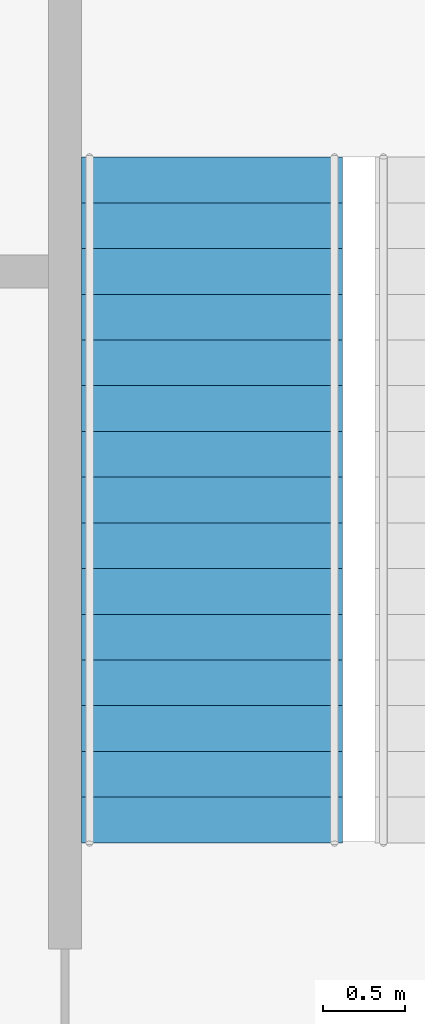
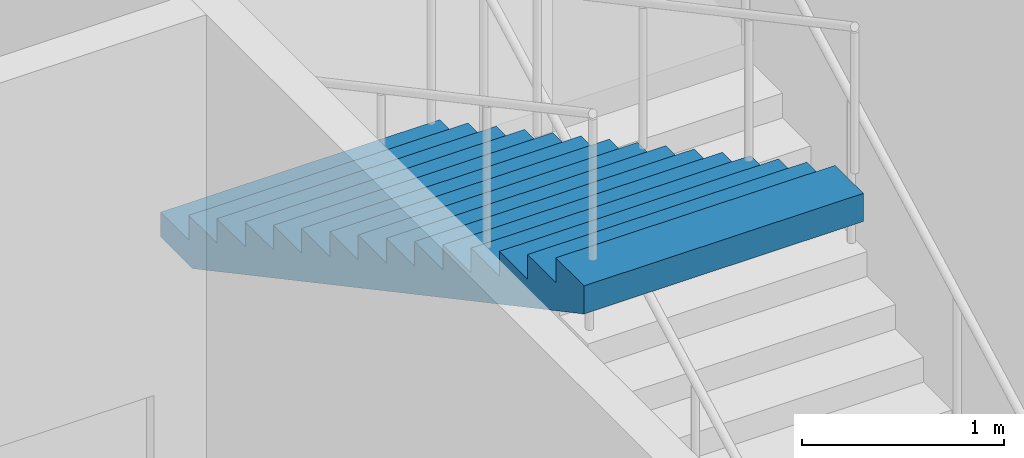
# One storey, part 49 of 53: 1 stair flight, 1 element without a shape of its own.
"""IFC4 building model written with IfcOpenShell, lengths in metres."""

from ifc_helpers import new_model, si_unit, direction, frame, origin, place, context, subcontext, project, spatial, triangles, material, type_object, element, aggregate, save


model = new_model("IFC4")

# Units and contexts
model_context = context("Model", 3, precision=1e-05, world=origin(), true_north=direction((0.0, 1.0)))
body_context = subcontext(model_context, "Body", "Model", "MODEL_VIEW")
ifc_project = project(units=[si_unit("LENGTHUNIT", "METRE"), si_unit("AREAUNIT", "SQUARE_METRE"), si_unit("VOLUMEUNIT", "CUBIC_METRE"), si_unit("PLANEANGLEUNIT", "RADIAN"), si_unit("MASSUNIT", "GRAM", prefix="KILO")], contexts=[model_context])

# Site, building, storey
site_placement = place(None, origin())
site = spatial("IfcSite", under=ifc_project, at=site_placement, CompositionType="ELEMENT")
building_placement = place(site_placement, origin())
building = spatial("IfcBuilding", under=site, at=building_placement, Name="Hakoniwa Tower and Hamabe Station Hall", CompositionType="ELEMENT")
storey_placement = place(building_placement, frame((0.0, 0.0, 15.0)))
storey = spatial("IfcBuildingStorey", under=building, at=storey_placement, Name="L03", CompositionType="ELEMENT", Elevation=15.0)

# Stair, stair flight
ifc_material_1 = material(Name="Concrete C40", Category="concrete")
stair_type = type_object("IfcStairType", Name="STAIR 1600 16X150", PredefinedType="HALF_TURN_STAIR", material=ifc_material_1)
stair_placement = place(storey_placement, origin())
stair = element("IfcStair", 1, at=stair_placement, inside=storey, type_object=stair_type, Name="Escape stair SS2 L03", PredefinedType="HALF_TURN_STAIR")
ifc_material_2 = material(Name="Concrete C40", Category="concrete")
stair_flight_type = type_object("IfcStairFlightType", Name="STAIR FLIGHT 1600", PredefinedType="STRAIGHT", material=ifc_material_2)
stair_flight_placement = place(storey_placement, frame((165.85009765625, 21.10009765625, 2.39990234375), z_axis=(0.0, 0.0, 1.0), x_axis=(0.0, -1.0, 0.0)))
stair_flight = element("IfcStairFlight", 2, at=stair_flight_placement, type_object=stair_flight_type, Name="SS2 flight 2", NumberOfRisers=16, NumberOfTreads=15, PredefinedType="STRAIGHT", RiserHeight=0.15, TreadLength=0.28, context=body_context, shape_type="Tessellation", body=[
    triangles([(0.0, 0.800048828125, 0.0), (0.280029296875, 0.800048828125, 0.0), (0.3173828125, 0.800048828125, 0.0), (0.56005859375, 0.800048828125, 0.1298828125), (0.840087890625, 0.800048828125, 0.280029296875), (1.1201171875, 0.800048828125, 0.429931640625), (1.39990234375, 0.800048828125, 0.579833984375), (1.679931640625, 0.800048828125, 0.72998046875), (1.9599609375, 0.800048828125, 0.8798828125), (2.239990234375, 0.800048828125, 1.030029296875), (2.52001953125, 0.800048828125, 1.179931640625), (2.800048828125, 0.800048828125, 1.329833984375), (3.080078125, 0.800048828125, 1.47998046875), (3.360107421875, 0.800048828125, 1.6298828125), (3.639892578125, 0.800048828125, 1.780029296875), (3.919921875, 0.800048828125, 1.929931640625), (4.199951171875, 0.800048828125, 2.079833984375), (4.199951171875, 0.800048828125, 2.25), (3.919921875, 0.800048828125, 2.25), (3.919921875, 0.800048828125, 2.10009765625), (3.639892578125, 0.800048828125, 2.10009765625), (3.639892578125, 0.800048828125, 1.949951171875), (3.360107421875, 0.800048828125, 1.949951171875), (3.360107421875, 0.800048828125, 1.800048828125), (3.080078125, 0.800048828125, 1.800048828125), (3.080078125, 0.800048828125, 1.64990234375), (2.800048828125, 0.800048828125, 1.64990234375), (2.800048828125, 0.800048828125, 1.5), (2.52001953125, 0.800048828125, 1.5), (2.52001953125, 0.800048828125, 1.35009765625), (2.239990234375, 0.800048828125, 1.35009765625), (2.239990234375, 0.800048828125, 1.199951171875), (1.9599609375, 0.800048828125, 1.199951171875), (1.9599609375, 0.800048828125, 1.050048828125), (1.679931640625, 0.800048828125, 1.050048828125), (1.679931640625, 0.800048828125, 0.89990234375), (1.39990234375, 0.800048828125, 0.89990234375), (1.39990234375, 0.800048828125, 0.75), (1.1201171875, 0.800048828125, 0.75), (1.1201171875, 0.800048828125, 0.60009765625), (0.840087890625, 0.800048828125, 0.60009765625), (0.840087890625, 0.800048828125, 0.449951171875), (0.56005859375, 0.800048828125, 0.449951171875), (0.56005859375, 0.800048828125, 0.300048828125), (0.3173828125, 0.800048828125, 0.300048828125), (0.280029296875, 0.800048828125, 0.300048828125), (0.280029296875, 0.800048828125, 0.14990234375), (0.0, 0.800048828125, 0.14990234375), (0.0, 0.06005859375, 0.0), (0.280029296875, 0.06005859375, 0.0), (0.3173828125, 0.06005859375, 0.0), (0.56005859375, 0.06005859375, 0.1298828125), (0.840087890625, 0.06005859375, 0.280029296875), (1.1201171875, 0.06005859375, 0.429931640625), (1.39990234375, 0.06005859375, 0.579833984375), (1.679931640625, 0.06005859375, 0.72998046875), (1.9599609375, 0.06005859375, 0.8798828125), (2.239990234375, 0.06005859375, 1.030029296875), (2.52001953125, 0.06005859375, 1.179931640625), (2.800048828125, 0.06005859375, 1.329833984375), (3.080078125, 0.06005859375, 1.47998046875), (3.360107421875, 0.06005859375, 1.6298828125), (3.639892578125, 0.06005859375, 1.780029296875), (3.919921875, 0.06005859375, 1.929931640625), (4.199951171875, 0.06005859375, 2.079833984375), (4.199951171875, 0.06005859375, 2.25), (3.919921875, 0.06005859375, 2.25), (3.919921875, 0.06005859375, 2.10009765625), (3.639892578125, 0.06005859375, 2.10009765625), (3.639892578125, 0.06005859375, 1.949951171875), (3.360107421875, 0.06005859375, 1.949951171875), (3.360107421875, 0.06005859375, 1.800048828125), (3.080078125, 0.06005859375, 1.800048828125), (3.080078125, 0.06005859375, 1.64990234375), (2.800048828125, 0.06005859375, 1.64990234375), (2.800048828125, 0.06005859375, 1.5), (2.52001953125, 0.06005859375, 1.5), (2.52001953125, 0.06005859375, 1.35009765625), (2.239990234375, 0.06005859375, 1.35009765625), (2.239990234375, 0.06005859375, 1.199951171875), (1.9599609375, 0.06005859375, 1.199951171875), (1.9599609375, 0.06005859375, 1.050048828125), (1.679931640625, 0.06005859375, 1.050048828125), (1.679931640625, 0.06005859375, 0.89990234375), (1.39990234375, 0.06005859375, 0.89990234375), (1.39990234375, 0.06005859375, 0.75), (1.1201171875, 0.06005859375, 0.75), (1.1201171875, 0.06005859375, 0.60009765625), (0.840087890625, 0.06005859375, 0.60009765625), (0.840087890625, 0.06005859375, 0.449951171875), (0.56005859375, 0.06005859375, 0.449951171875), (0.56005859375, 0.06005859375, 0.300048828125), (0.3173828125, 0.06005859375, 0.300048828125), (0.280029296875, 0.06005859375, 0.300048828125), (0.280029296875, 0.06005859375, 0.14990234375), (0.0, 0.06005859375, 0.14990234375), (0.0, 0.02001953125, 0.0), (0.280029296875, 0.02001953125, 0.0), (0.3173828125, 0.02001953125, 0.0), (0.56005859375, 0.02001953125, 0.1298828125), (0.840087890625, 0.02001953125, 0.280029296875), (1.1201171875, 0.02001953125, 0.429931640625), (1.39990234375, 0.02001953125, 0.579833984375), (1.679931640625, 0.02001953125, 0.72998046875), (1.9599609375, 0.02001953125, 0.8798828125), (2.239990234375, 0.02001953125, 1.030029296875), (2.52001953125, 0.02001953125, 1.179931640625), (2.800048828125, 0.02001953125, 1.329833984375), (3.080078125, 0.02001953125, 1.47998046875), (3.360107421875, 0.02001953125, 1.6298828125), (3.639892578125, 0.02001953125, 1.780029296875), (3.919921875, 0.02001953125, 1.929931640625), (4.199951171875, 0.02001953125, 2.079833984375), (4.199951171875, 0.02001953125, 2.25), (3.919921875, 0.02001953125, 2.25), (3.919921875, 0.02001953125, 2.10009765625), (3.639892578125, 0.02001953125, 2.10009765625), (3.639892578125, 0.02001953125, 1.949951171875), (3.360107421875, 0.02001953125, 1.949951171875), (3.360107421875, 0.02001953125, 1.800048828125), (3.080078125, 0.02001953125, 1.800048828125), (3.080078125, 0.02001953125, 1.64990234375), (2.800048828125, 0.02001953125, 1.64990234375), (2.800048828125, 0.02001953125, 1.5), (2.52001953125, 0.02001953125, 1.5), (2.52001953125, 0.02001953125, 1.35009765625), (2.239990234375, 0.02001953125, 1.35009765625), (2.239990234375, 0.02001953125, 1.199951171875), (1.9599609375, 0.02001953125, 1.199951171875), (1.9599609375, 0.02001953125, 1.050048828125), (1.679931640625, 0.02001953125, 1.050048828125), (1.679931640625, 0.02001953125, 0.89990234375), (1.39990234375, 0.02001953125, 0.89990234375), (1.39990234375, 0.02001953125, 0.75), (1.1201171875, 0.02001953125, 0.75), (1.1201171875, 0.02001953125, 0.60009765625), (0.840087890625, 0.02001953125, 0.60009765625), (0.840087890625, 0.02001953125, 0.449951171875), (0.56005859375, 0.02001953125, 0.449951171875), (0.56005859375, 0.02001953125, 0.300048828125), (0.3173828125, 0.02001953125, 0.300048828125), (0.280029296875, 0.02001953125, 0.300048828125), (0.280029296875, 0.02001953125, 0.14990234375), (0.0, 0.02001953125, 0.14990234375), (0.0, -0.02001953125, 0.0), (0.280029296875, -0.02001953125, 0.0), (0.3173828125, -0.02001953125, 0.0), (0.56005859375, -0.02001953125, 0.1298828125), (0.840087890625, -0.02001953125, 0.280029296875), (1.1201171875, -0.02001953125, 0.429931640625), (1.39990234375, -0.02001953125, 0.579833984375), (1.679931640625, -0.02001953125, 0.72998046875), (1.9599609375, -0.02001953125, 0.8798828125), (2.239990234375, -0.02001953125, 1.030029296875), (2.52001953125, -0.02001953125, 1.179931640625), (2.800048828125, -0.02001953125, 1.329833984375), (3.080078125, -0.02001953125, 1.47998046875), (3.360107421875, -0.02001953125, 1.6298828125), (3.639892578125, -0.02001953125, 1.780029296875), (3.919921875, -0.02001953125, 1.929931640625), (4.199951171875, -0.02001953125, 2.079833984375), (4.199951171875, -0.02001953125, 2.25), (3.919921875, -0.02001953125, 2.25), (3.919921875, -0.02001953125, 2.10009765625), (3.639892578125, -0.02001953125, 2.10009765625), (3.639892578125, -0.02001953125, 1.949951171875), (3.360107421875, -0.02001953125, 1.949951171875), (3.360107421875, -0.02001953125, 1.800048828125), (3.080078125, -0.02001953125, 1.800048828125), (3.080078125, -0.02001953125, 1.64990234375), (2.800048828125, -0.02001953125, 1.64990234375), (2.800048828125, -0.02001953125, 1.5), (2.52001953125, -0.02001953125, 1.5), (2.52001953125, -0.02001953125, 1.35009765625), (2.239990234375, -0.02001953125, 1.35009765625), (2.239990234375, -0.02001953125, 1.199951171875), (1.9599609375, -0.02001953125, 1.199951171875), (1.9599609375, -0.02001953125, 1.050048828125), (1.679931640625, -0.02001953125, 1.050048828125), (1.679931640625, -0.02001953125, 0.89990234375), (1.39990234375, -0.02001953125, 0.89990234375), (1.39990234375, -0.02001953125, 0.75), (1.1201171875, -0.02001953125, 0.75), (1.1201171875, -0.02001953125, 0.60009765625), (0.840087890625, -0.02001953125, 0.60009765625), (0.840087890625, -0.02001953125, 0.449951171875), (0.56005859375, -0.02001953125, 0.449951171875), (0.56005859375, -0.02001953125, 0.300048828125), (0.3173828125, -0.02001953125, 0.300048828125), (0.280029296875, -0.02001953125, 0.300048828125), (0.280029296875, -0.02001953125, 0.14990234375), (0.0, -0.02001953125, 0.14990234375), (0.0, -0.06005859375, 0.0), (0.280029296875, -0.06005859375, 0.0), (0.3173828125, -0.06005859375, 0.0), (0.56005859375, -0.06005859375, 0.1298828125), (0.840087890625, -0.06005859375, 0.280029296875), (1.1201171875, -0.06005859375, 0.429931640625), (1.39990234375, -0.06005859375, 0.579833984375), (1.679931640625, -0.06005859375, 0.72998046875), (1.9599609375, -0.06005859375, 0.8798828125), (2.239990234375, -0.06005859375, 1.030029296875), (2.52001953125, -0.06005859375, 1.179931640625), (2.800048828125, -0.06005859375, 1.329833984375), (3.080078125, -0.06005859375, 1.47998046875), (3.360107421875, -0.06005859375, 1.6298828125), (3.639892578125, -0.06005859375, 1.780029296875), (3.919921875, -0.06005859375, 1.929931640625), (4.199951171875, -0.06005859375, 2.079833984375), (4.199951171875, -0.06005859375, 2.25), (3.919921875, -0.06005859375, 2.25), (3.919921875, -0.06005859375, 2.10009765625), (3.639892578125, -0.06005859375, 2.10009765625), (3.639892578125, -0.06005859375, 1.949951171875), (3.360107421875, -0.06005859375, 1.949951171875), (3.360107421875, -0.06005859375, 1.800048828125), (3.080078125, -0.06005859375, 1.800048828125), (3.080078125, -0.06005859375, 1.64990234375), (2.800048828125, -0.06005859375, 1.64990234375), (2.800048828125, -0.06005859375, 1.5), (2.52001953125, -0.06005859375, 1.5), (2.52001953125, -0.06005859375, 1.35009765625), (2.239990234375, -0.06005859375, 1.35009765625), (2.239990234375, -0.06005859375, 1.199951171875), (1.9599609375, -0.06005859375, 1.199951171875), (1.9599609375, -0.06005859375, 1.050048828125), (1.679931640625, -0.06005859375, 1.050048828125), (1.679931640625, -0.06005859375, 0.89990234375), (1.39990234375, -0.06005859375, 0.89990234375), (1.39990234375, -0.06005859375, 0.75), (1.1201171875, -0.06005859375, 0.75), (1.1201171875, -0.06005859375, 0.60009765625), (0.840087890625, -0.06005859375, 0.60009765625), (0.840087890625, -0.06005859375, 0.449951171875), (0.56005859375, -0.06005859375, 0.449951171875), (0.56005859375, -0.06005859375, 0.300048828125), (0.3173828125, -0.06005859375, 0.300048828125), (0.280029296875, -0.06005859375, 0.300048828125), (0.280029296875, -0.06005859375, 0.14990234375), (0.0, -0.06005859375, 0.14990234375), (0.0, -0.800048828125, 0.0), (0.280029296875, -0.800048828125, 0.0), (0.3173828125, -0.800048828125, 0.0), (0.56005859375, -0.800048828125, 0.1298828125), (0.840087890625, -0.800048828125, 0.280029296875), (1.1201171875, -0.800048828125, 0.429931640625), (1.39990234375, -0.800048828125, 0.579833984375), (1.679931640625, -0.800048828125, 0.72998046875), (1.9599609375, -0.800048828125, 0.8798828125), (2.239990234375, -0.800048828125, 1.030029296875), (2.52001953125, -0.800048828125, 1.179931640625), (2.800048828125, -0.800048828125, 1.329833984375), (3.080078125, -0.800048828125, 1.47998046875), (3.360107421875, -0.800048828125, 1.6298828125), (3.639892578125, -0.800048828125, 1.780029296875), (3.919921875, -0.800048828125, 1.929931640625), (4.199951171875, -0.800048828125, 2.079833984375), (4.199951171875, -0.800048828125, 2.25), (3.919921875, -0.800048828125, 2.25), (3.919921875, -0.800048828125, 2.10009765625), (3.639892578125, -0.800048828125, 2.10009765625), (3.639892578125, -0.800048828125, 1.949951171875), (3.360107421875, -0.800048828125, 1.949951171875), (3.360107421875, -0.800048828125, 1.800048828125), (3.080078125, -0.800048828125, 1.800048828125), (3.080078125, -0.800048828125, 1.64990234375), (2.800048828125, -0.800048828125, 1.64990234375), (2.800048828125, -0.800048828125, 1.5), (2.52001953125, -0.800048828125, 1.5), (2.52001953125, -0.800048828125, 1.35009765625), (2.239990234375, -0.800048828125, 1.35009765625), (2.239990234375, -0.800048828125, 1.199951171875), (1.9599609375, -0.800048828125, 1.199951171875), (1.9599609375, -0.800048828125, 1.050048828125), (1.679931640625, -0.800048828125, 1.050048828125), (1.679931640625, -0.800048828125, 0.89990234375), (1.39990234375, -0.800048828125, 0.89990234375), (1.39990234375, -0.800048828125, 0.75), (1.1201171875, -0.800048828125, 0.75), (1.1201171875, -0.800048828125, 0.60009765625), (0.840087890625, -0.800048828125, 0.60009765625), (0.840087890625, -0.800048828125, 0.449951171875), (0.56005859375, -0.800048828125, 0.449951171875), (0.56005859375, -0.800048828125, 0.300048828125), (0.3173828125, -0.800048828125, 0.300048828125), (0.280029296875, -0.800048828125, 0.300048828125), (0.280029296875, -0.800048828125, 0.14990234375), (0.0, -0.800048828125, 0.14990234375)], [[2, 48, 47], [242, 287, 288], [2, 1, 48], [242, 288, 241], [3, 46, 45], [243, 285, 286], [3, 47, 46], [243, 286, 287], [3, 2, 47], [243, 287, 242], [4, 45, 44], [244, 284, 285], [4, 3, 45], [244, 285, 243], [5, 43, 42], [245, 282, 283], [5, 44, 43], [245, 283, 284], [5, 4, 44], [245, 284, 244], [6, 41, 40], [246, 280, 281], [6, 42, 41], [246, 281, 282], [6, 5, 42], [246, 282, 245], [7, 39, 38], [247, 278, 279], [7, 40, 39], [247, 279, 280], [7, 6, 40], [247, 280, 246], [8, 37, 36], [248, 276, 277], [8, 38, 37], [248, 277, 278], [8, 7, 38], [248, 278, 247], [9, 35, 34], [249, 274, 275], [9, 36, 35], [249, 275, 276], [9, 8, 36], [249, 276, 248], [10, 33, 32], [250, 272, 273], [10, 34, 33], [250, 273, 274], [10, 9, 34], [250, 274, 249], [11, 31, 30], [251, 270, 271], [11, 32, 31], [251, 271, 272], [11, 10, 32], [251, 272, 250], [12, 29, 28], [252, 268, 269], [12, 30, 29], [252, 269, 270], [12, 11, 30], [252, 270, 251], [13, 27, 26], [253, 266, 267], [13, 28, 27], [253, 267, 268], [13, 12, 28], [253, 268, 252], [14, 25, 24], [254, 264, 265], [14, 26, 25], [254, 265, 266], [14, 13, 26], [254, 266, 253], [15, 23, 22], [255, 262, 263], [15, 24, 23], [255, 263, 264], [15, 14, 24], [255, 264, 254], [16, 21, 20], [256, 260, 261], [16, 22, 21], [256, 261, 262], [16, 15, 22], [256, 262, 255], [17, 19, 18], [257, 258, 259], [17, 20, 19], [257, 259, 260], [17, 16, 20], [257, 260, 256], [1, 2, 50], [1, 50, 49], [49, 50, 98], [49, 98, 97], [97, 98, 146], [97, 146, 145], [145, 146, 194], [145, 194, 193], [193, 194, 242], [193, 242, 241], [2, 3, 51], [2, 51, 50], [50, 51, 99], [50, 99, 98], [98, 99, 147], [98, 147, 146], [146, 147, 195], [146, 195, 194], [194, 195, 243], [194, 243, 242], [3, 4, 52], [3, 52, 51], [51, 52, 100], [51, 100, 99], [99, 100, 148], [99, 148, 147], [147, 148, 196], [147, 196, 195], [195, 196, 244], [195, 244, 243], [4, 5, 53], [4, 53, 52], [52, 53, 101], [52, 101, 100], [100, 101, 149], [100, 149, 148], [148, 149, 197], [148, 197, 196], [196, 197, 245], [196, 245, 244], [5, 6, 54], [5, 54, 53], [53, 54, 102], [53, 102, 101], [101, 102, 150], [101, 150, 149], [149, 150, 198], [149, 198, 197], [197, 198, 246], [197, 246, 245], [6, 7, 55], [6, 55, 54], [54, 55, 103], [54, 103, 102], [102, 103, 151], [102, 151, 150], [150, 151, 199], [150, 199, 198], [198, 199, 247], [198, 247, 246], [7, 8, 56], [7, 56, 55], [55, 56, 104], [55, 104, 103], [103, 104, 152], [103, 152, 151], [151, 152, 200], [151, 200, 199], [199, 200, 248], [199, 248, 247], [8, 9, 57], [8, 57, 56], [56, 57, 105], [56, 105, 104], [104, 105, 153], [104, 153, 152], [152, 153, 201], [152, 201, 200], [200, 201, 249], [200, 249, 248], [9, 10, 58], [9, 58, 57], [57, 58, 106], [57, 106, 105], [105, 106, 154], [105, 154, 153], [153, 154, 202], [153, 202, 201], [201, 202, 250], [201, 250, 249], [10, 11, 59], [10, 59, 58], [58, 59, 107], [58, 107, 106], [106, 107, 155], [106, 155, 154], [154, 155, 203], [154, 203, 202], [202, 203, 251], [202, 251, 250], [11, 12, 60], [11, 60, 59], [59, 60, 108], [59, 108, 107], [107, 108, 156], [107, 156, 155], [155, 156, 204], [155, 204, 203], [203, 204, 252], [203, 252, 251], [12, 13, 61], [12, 61, 60], [60, 61, 109], [60, 109, 108], [108, 109, 157], [108, 157, 156], [156, 157, 205], [156, 205, 204], [204, 205, 253], [204, 253, 252], [13, 14, 62], [13, 62, 61], [61, 62, 110], [61, 110, 109], [109, 110, 158], [109, 158, 157], [157, 158, 206], [157, 206, 205], [205, 206, 254], [205, 254, 253], [14, 15, 63], [14, 63, 62], [62, 63, 111], [62, 111, 110], [110, 111, 159], [110, 159, 158], [158, 159, 207], [158, 207, 206], [206, 207, 255], [206, 255, 254], [15, 16, 64], [15, 64, 63], [63, 64, 112], [63, 112, 111], [111, 112, 160], [111, 160, 159], [159, 160, 208], [159, 208, 207], [207, 208, 256], [207, 256, 255], [16, 17, 65], [16, 65, 64], [64, 65, 113], [64, 113, 112], [112, 113, 161], [112, 161, 160], [160, 161, 209], [160, 209, 208], [208, 209, 257], [208, 257, 256], [17, 18, 66], [17, 66, 65], [65, 66, 114], [65, 114, 113], [113, 114, 162], [113, 162, 161], [161, 162, 210], [161, 210, 209], [209, 210, 258], [209, 258, 257], [18, 19, 67], [18, 67, 66], [66, 67, 115], [66, 115, 114], [114, 115, 163], [114, 163, 162], [162, 163, 211], [162, 211, 210], [210, 211, 259], [210, 259, 258], [19, 20, 68], [19, 68, 67], [67, 68, 116], [67, 116, 115], [115, 116, 164], [115, 164, 163], [163, 164, 212], [163, 212, 211], [211, 212, 260], [211, 260, 259], [20, 21, 69], [20, 69, 68], [68, 69, 117], [68, 117, 116], [116, 117, 165], [116, 165, 164], [164, 165, 213], [164, 213, 212], [212, 213, 261], [212, 261, 260], [21, 22, 70], [21, 70, 69], [69, 70, 118], [69, 118, 117], [117, 118, 166], [117, 166, 165], [165, 166, 214], [165, 214, 213], [213, 214, 262], [213, 262, 261], [22, 23, 71], [22, 71, 70], [70, 71, 119], [70, 119, 118], [118, 119, 167], [118, 167, 166], [166, 167, 215], [166, 215, 214], [214, 215, 263], [214, 263, 262], [23, 24, 72], [23, 72, 71], [71, 72, 120], [71, 120, 119], [119, 120, 168], [119, 168, 167], [167, 168, 216], [167, 216, 215], [215, 216, 264], [215, 264, 263], [24, 25, 73], [24, 73, 72], [72, 73, 121], [72, 121, 120], [120, 121, 169], [120, 169, 168], [168, 169, 217], [168, 217, 216], [216, 217, 265], [216, 265, 264], [25, 26, 74], [25, 74, 73], [73, 74, 122], [73, 122, 121], [121, 122, 170], [121, 170, 169], [169, 170, 218], [169, 218, 217], [217, 218, 266], [217, 266, 265], [26, 27, 75], [26, 75, 74], [74, 75, 123], [74, 123, 122], [122, 123, 171], [122, 171, 170], [170, 171, 219], [170, 219, 218], [218, 219, 267], [218, 267, 266], [27, 28, 76], [27, 76, 75], [75, 76, 124], [75, 124, 123], [123, 124, 172], [123, 172, 171], [171, 172, 220], [171, 220, 219], [219, 220, 268], [219, 268, 267], [28, 29, 77], [28, 77, 76], [76, 77, 125], [76, 125, 124], [124, 125, 173], [124, 173, 172], [172, 173, 221], [172, 221, 220], [220, 221, 269], [220, 269, 268], [29, 30, 78], [29, 78, 77], [77, 78, 126], [77, 126, 125], [125, 126, 174], [125, 174, 173], [173, 174, 222], [173, 222, 221], [221, 222, 270], [221, 270, 269], [30, 31, 79], [30, 79, 78], [78, 79, 127], [78, 127, 126], [126, 127, 175], [126, 175, 174], [174, 175, 223], [174, 223, 222], [222, 223, 271], [222, 271, 270], [31, 32, 80], [31, 80, 79], [79, 80, 128], [79, 128, 127], [127, 128, 176], [127, 176, 175], [175, 176, 224], [175, 224, 223], [223, 224, 272], [223, 272, 271], [32, 33, 81], [32, 81, 80], [80, 81, 129], [80, 129, 128], [128, 129, 177], [128, 177, 176], [176, 177, 225], [176, 225, 224], [224, 225, 273], [224, 273, 272], [33, 34, 82], [33, 82, 81], [81, 82, 130], [81, 130, 129], [129, 130, 178], [129, 178, 177], [177, 178, 226], [177, 226, 225], [225, 226, 274], [225, 274, 273], [34, 35, 83], [34, 83, 82], [82, 83, 131], [82, 131, 130], [130, 131, 179], [130, 179, 178], [178, 179, 227], [178, 227, 226], [226, 227, 275], [226, 275, 274], [35, 36, 84], [35, 84, 83], [83, 84, 132], [83, 132, 131], [131, 132, 180], [131, 180, 179], [179, 180, 228], [179, 228, 227], [227, 228, 276], [227, 276, 275], [36, 37, 85], [36, 85, 84], [84, 85, 133], [84, 133, 132], [132, 133, 181], [132, 181, 180], [180, 181, 229], [180, 229, 228], [228, 229, 277], [228, 277, 276], [37, 38, 86], [37, 86, 85], [85, 86, 134], [85, 134, 133], [133, 134, 182], [133, 182, 181], [181, 182, 230], [181, 230, 229], [229, 230, 278], [229, 278, 277], [38, 39, 87], [38, 87, 86], [86, 87, 135], [86, 135, 134], [134, 135, 183], [134, 183, 182], [182, 183, 231], [182, 231, 230], [230, 231, 279], [230, 279, 278], [39, 40, 88], [39, 88, 87], [87, 88, 136], [87, 136, 135], [135, 136, 184], [135, 184, 183], [183, 184, 232], [183, 232, 231], [231, 232, 280], [231, 280, 279], [40, 41, 89], [40, 89, 88], [88, 89, 137], [88, 137, 136], [136, 137, 185], [136, 185, 184], [184, 185, 233], [184, 233, 232], [232, 233, 281], [232, 281, 280], [41, 42, 90], [41, 90, 89], [89, 90, 138], [89, 138, 137], [137, 138, 186], [137, 186, 185], [185, 186, 234], [185, 234, 233], [233, 234, 282], [233, 282, 281], [42, 43, 91], [42, 91, 90], [90, 91, 139], [90, 139, 138], [138, 139, 187], [138, 187, 186], [186, 187, 235], [186, 235, 234], [234, 235, 283], [234, 283, 282], [43, 44, 92], [43, 92, 91], [91, 92, 140], [91, 140, 139], [139, 140, 188], [139, 188, 187], [187, 188, 236], [187, 236, 235], [235, 236, 284], [235, 284, 283], [44, 45, 93], [44, 93, 92], [92, 93, 141], [92, 141, 140], [140, 141, 189], [140, 189, 188], [188, 189, 237], [188, 237, 236], [236, 237, 285], [236, 285, 284], [45, 46, 94], [45, 94, 93], [93, 94, 142], [93, 142, 141], [141, 142, 190], [141, 190, 189], [189, 190, 238], [189, 238, 237], [237, 238, 286], [237, 286, 285], [46, 47, 95], [46, 95, 94], [94, 95, 143], [94, 143, 142], [142, 143, 191], [142, 191, 190], [190, 191, 239], [190, 239, 238], [238, 239, 287], [238, 287, 286], [47, 48, 96], [47, 96, 95], [95, 96, 144], [95, 144, 143], [143, 144, 192], [143, 192, 191], [191, 192, 240], [191, 240, 239], [239, 240, 288], [239, 288, 287], [48, 1, 49], [48, 49, 96], [96, 49, 97], [96, 97, 144], [144, 97, 145], [144, 145, 192], [192, 145, 193], [192, 193, 240], [240, 193, 241], [240, 241, 288]], closed=True),
])
aggregate(stair, [stair_flight])

save(model, "model.ifc")
